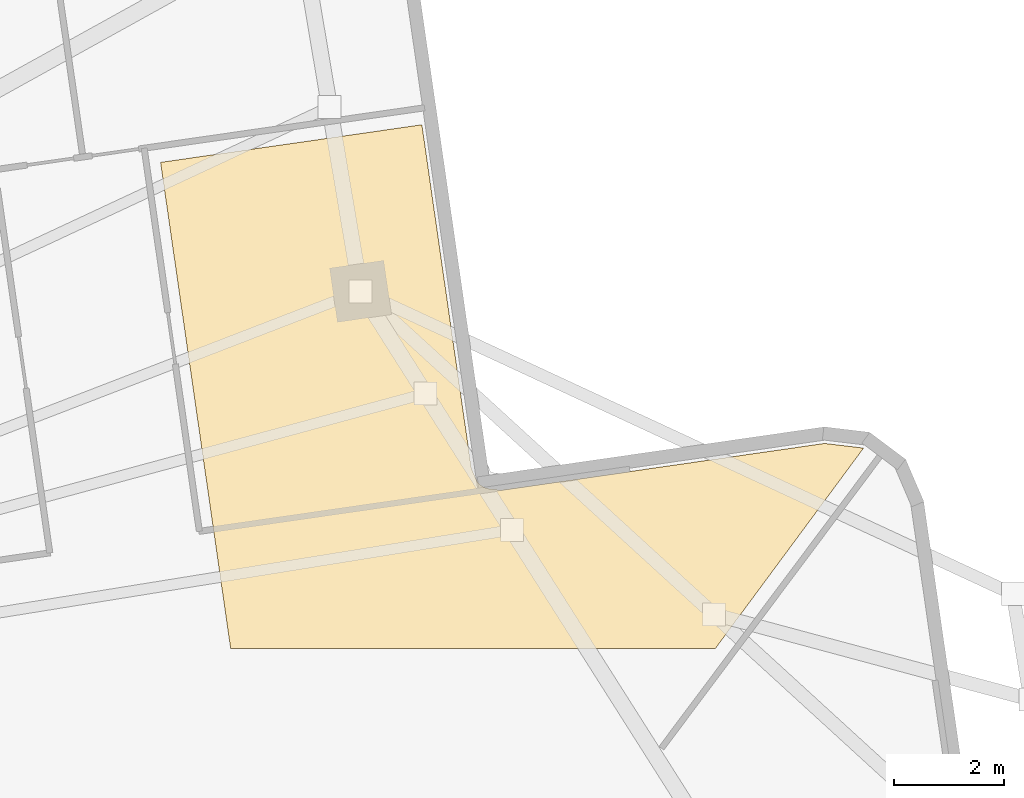
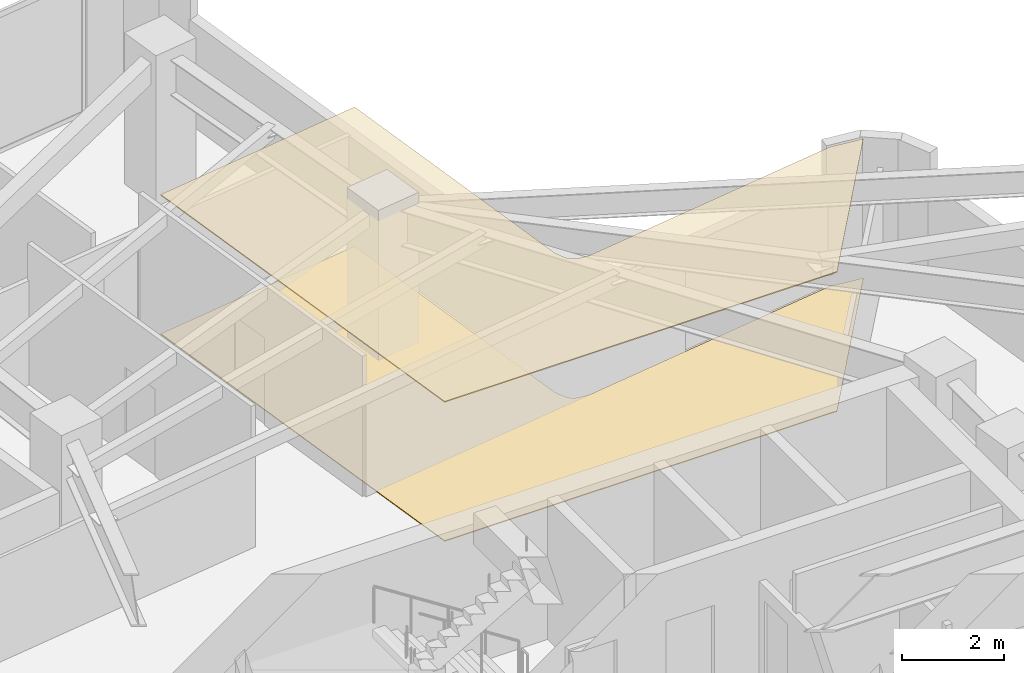
# One storey, part 13 of 13: 2 coverings.
"""IFC4 building model written with IfcOpenShell, lengths in metres."""

from ifc_helpers import new_model, si_unit, direction, frame, origin, place, context, subcontext, project, spatial, polyline, outline, extrude, material, layer, layer_set, type_object, element, save


model = new_model("IFC4")

# Units and contexts
model_context = context("Model", 3, precision=1e-05, world=origin(), true_north=direction((0.0, 1.0)))
body_context = subcontext(model_context, "Body", "Model", "MODEL_VIEW")
ifc_project = project(units=[si_unit("LENGTHUNIT", "METRE"), si_unit("AREAUNIT", "SQUARE_METRE"), si_unit("VOLUMEUNIT", "CUBIC_METRE"), si_unit("PLANEANGLEUNIT", "RADIAN"), si_unit("MASSUNIT", "GRAM", prefix="KILO")], contexts=[model_context])

# Site, building, storey
site_placement = place(None, origin())
site = spatial("IfcSite", under=ifc_project, at=site_placement, CompositionType="ELEMENT")
building_placement = place(site_placement, origin())
building = spatial("IfcBuilding", under=site, at=building_placement, Name="Solmarez Civic Tower", CompositionType="ELEMENT")
storey_placement = place(building_placement, frame((0.0, 0.0, 89.280029296875)))
storey = spatial("IfcBuildingStorey", under=building, at=storey_placement, Name="L23", CompositionType="ELEMENT", Elevation=89.280029296875)

# Coverings
ifc_material_1 = material(Name="Perforated Mineral-Fibre Acoustic Ceiling")
ifc_layer_1 = layer(ifc_material_1, 0.02490234375)
ifc_layer_set_1 = layer_set([ifc_layer_1], Name="Perforated Mineral-Fibre Acoustic Ceiling")
covering_type_1 = type_object("IfcCoveringType", Name="COV-CEIL-ACOUSTIC", PredefinedType="CEILING", material=ifc_layer_set_1)
covering_1_placement = place(storey_placement, frame((0.0, 0.0, 3.31494140625)))
element("IfcCovering", 1, at=covering_1_placement, inside=storey, type_object=covering_type_1, Name="L23 Suspended Acoustic Ceiling 1", PredefinedType="CEILING", context=body_context, shape_type="SweptSolid", body=[
    extrude(outline(polyline([(-0.10107421875, 12.199951171875), (8.75, 12.199951171875), (11.455078125, 15.85791015625), (11.449951171875, 15.862060546875), (10.74609375, 15.946044921875), (4.866943359375, 15.097900390625), (4.85302734375, 15.096923828125), (4.83203125, 15.094970703125), (4.81201171875, 15.094970703125), (4.787109375, 15.097900390625), (4.617919921875, 15.116943359375), (4.591064453125, 15.123046875), (4.5830078125, 15.125), (4.575927734375, 15.1259765625), (4.569091796875, 15.1279296875), (4.56201171875, 15.1298828125), (4.537109375, 15.138916015625), (4.512939453125, 15.15087890625), (4.506103515625, 15.155029296875), (4.492919921875, 15.1630859375), (4.47607421875, 15.173095703125), (4.4609375, 15.18505859375), (4.446044921875, 15.197998046875), (4.44091796875, 15.202880859375), (4.427978515625, 15.218017578125), (4.423095703125, 15.22412109375), (4.41796875, 15.22998046875), (4.404052734375, 15.2490234375), (4.39990234375, 15.2548828125), (4.389892578125, 15.27197265625), (4.381103515625, 15.2900390625), (4.3779296875, 15.297119140625), (4.31005859375, 15.455078125), (4.300048828125, 15.48193359375), (4.297119140625, 15.491943359375), (4.2919921875, 15.510986328125), (4.2880859375, 15.531005859375), (3.39111328125, 21.76611328125), (-1.381103515625, 21.0791015625), (-0.10107421875, 12.199951171875)])), origin(), (0.0, 0.0, 1.0), 0.025146484375),
])
ifc_material_2 = material(Name="Polished Tropical Stone Terrazzo Flooring", Category="masonry")
ifc_layer_2 = layer(ifc_material_2, 0.02001953125)
ifc_layer_set_2 = layer_set([ifc_layer_2], Name="Polished Tropical Stone Terrazzo Flooring")
covering_type_2 = type_object("IfcCoveringType", Name="COV-FLOOR-TERRAZZO", PredefinedType="FLOORING", material=ifc_layer_set_2)
covering_2_placement = place(storey_placement, origin())
element("IfcCovering", 2, at=covering_2_placement, inside=storey, type_object=covering_type_2, Name="L23 Terrazzo Floor Finish 1", PredefinedType="FLOORING", context=body_context, shape_type="SweptSolid", body=[
    extrude(outline(polyline([(-0.10107421875, 12.199951171875), (8.75, 12.199951171875), (11.455078125, 15.85791015625), (11.449951171875, 15.862060546875), (10.74609375, 15.946044921875), (4.866943359375, 15.097900390625), (4.85302734375, 15.096923828125), (4.83203125, 15.094970703125), (4.81201171875, 15.094970703125), (4.787109375, 15.097900390625), (4.617919921875, 15.116943359375), (4.591064453125, 15.123046875), (4.5830078125, 15.125), (4.575927734375, 15.1259765625), (4.569091796875, 15.1279296875), (4.56201171875, 15.1298828125), (4.537109375, 15.138916015625), (4.512939453125, 15.15087890625), (4.506103515625, 15.155029296875), (4.492919921875, 15.1630859375), (4.47607421875, 15.173095703125), (4.4609375, 15.18505859375), (4.446044921875, 15.197998046875), (4.44091796875, 15.202880859375), (4.427978515625, 15.218017578125), (4.423095703125, 15.22412109375), (4.41796875, 15.22998046875), (4.404052734375, 15.2490234375), (4.39990234375, 15.2548828125), (4.389892578125, 15.27197265625), (4.381103515625, 15.2900390625), (4.3779296875, 15.297119140625), (4.31005859375, 15.455078125), (4.300048828125, 15.48193359375), (4.297119140625, 15.491943359375), (4.2919921875, 15.510986328125), (4.2880859375, 15.531005859375), (3.39111328125, 21.76611328125), (-1.381103515625, 21.0791015625), (-0.10107421875, 12.199951171875)])), origin(), (0.0, 0.0, 1.0), 0.02001953125),
])

save(model, "model.ifc")
